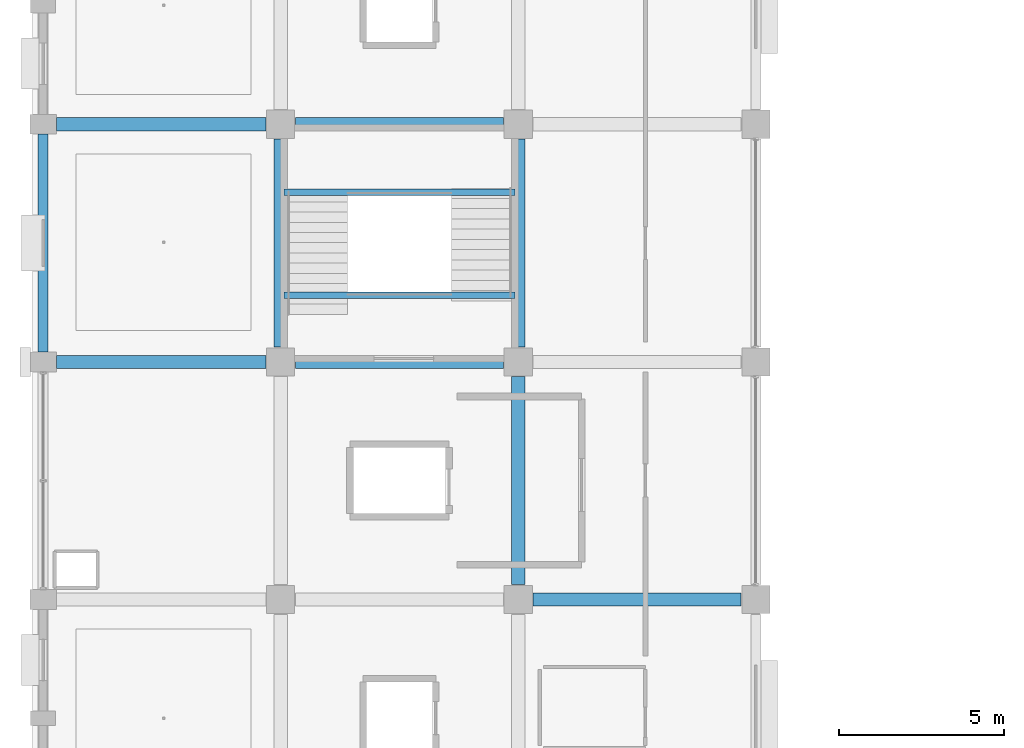
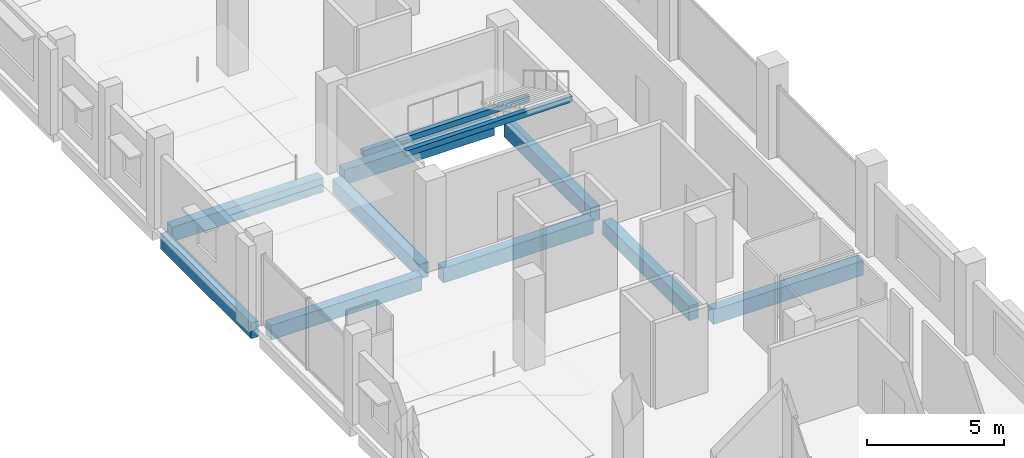
# One storey, part 22 of 107: 11 beams.
"""IFC4 building model written with IfcOpenShell, lengths in metres."""

from ifc_helpers import new_model, si_unit, direction, frame, origin, origin_2d, place, context, subcontext, project, spatial, rectangle, extrude, material, material_profile, profile_set, type_object, element, save


model = new_model("IFC4")

# Units and contexts
model_context = context("Model", 3, precision=1e-05, world=origin(), true_north=direction((0.0, 1.0)))
body_context = subcontext(model_context, "Body", "Model", "MODEL_VIEW")
ifc_project = project(units=[si_unit("LENGTHUNIT", "METRE"), si_unit("AREAUNIT", "SQUARE_METRE"), si_unit("VOLUMEUNIT", "CUBIC_METRE"), si_unit("PLANEANGLEUNIT", "RADIAN"), si_unit("MASSUNIT", "GRAM", prefix="KILO")], contexts=[model_context])

# Site, building, storey
site_placement = place(None, origin())
site = spatial("IfcSite", under=ifc_project, at=site_placement, CompositionType="ELEMENT")
building_placement = place(site_placement, origin())
building = spatial("IfcBuilding", under=site, at=building_placement, Name="Kangsadwip Square Police Headquarters", CompositionType="ELEMENT")
storey_placement = place(building_placement, frame((0.0, 0.0, 5.39990234375)))
storey = spatial("IfcBuildingStorey", under=building, at=storey_placement, Name="L01", CompositionType="ELEMENT", Elevation=5.39990234375)

# Beams
ifc_material_1 = material(Name="Concrete M35 (35 MPa)", Category="concrete")
ifc_material_profile_1 = material_profile(ifc_material_1, rectangle(XDim=0.39990234375, YDim=0.64990234375, at=origin_2d()), Name="RC BM 650X400")
ifc_profile_set_1 = profile_set([ifc_material_profile_1], Name="Concrete M35 (35 MPa)")
beam_type_1 = type_object("IfcBeamType", Name="RcBeam650x400", PredefinedType="BEAM", material=ifc_profile_set_1)
beam_1_placement = place(storey_placement, frame((14.85009765625, 64.800048828125, -0.56494140625), z_axis=(1.0, 0.0, 0.0), x_axis=(0.0, 1.0, 0.0)))
element("IfcBeam", 1, at=beam_1_placement, inside=storey, type_object=beam_type_1, Name="Beam BM-L01-X-02-09", PredefinedType="BEAM", context=body_context, shape_type="SweptSolid", body=[
    extrude(rectangle(XDim=0.39990234375, YDim=0.64990234375, at=origin_2d()), origin(), (0.0, 0.0, 1.0), 6.2998046875),
])
beam_2_placement = place(storey_placement, frame((0.39990234375, 72.0, -0.56494140625), z_axis=(1.0, 0.0, 0.0), x_axis=(0.0, 1.0, 0.0)))
element("IfcBeam", 2, at=beam_2_placement, inside=storey, type_object=beam_type_1, Name="Beam BM-L01-X-00-10", PredefinedType="BEAM", context=body_context, shape_type="SweptSolid", body=[
    extrude(rectangle(XDim=0.39990234375, YDim=0.64990234375, at=origin_2d()), origin(), (0.0, 0.0, 1.0), 6.35009765625),
])
beam_3_placement = place(storey_placement, frame((7.64990234375, 72.0, -0.56494140625), z_axis=(1.0, 0.0, 0.0), x_axis=(0.0, 1.0, 0.0)))
element("IfcBeam", 3, at=beam_3_placement, inside=storey, type_object=beam_type_1, Name="Beam BM-L01-X-01-10", PredefinedType="BEAM", context=body_context, shape_type="SweptSolid", body=[
    extrude(rectangle(XDim=0.39990234375, YDim=0.64990234375, at=origin_2d()), origin(), (0.0, 0.0, 1.0), 6.300048828125),
])
beam_4_placement = place(storey_placement, frame((0.39990234375, 79.199951171875, -0.56494140625), z_axis=(1.0, 0.0, 0.0), x_axis=(0.0, 1.0, 0.0)))
element("IfcBeam", 4, at=beam_4_placement, inside=storey, type_object=beam_type_1, Name="Beam BM-L01-X-00-11", PredefinedType="BEAM", context=body_context, shape_type="SweptSolid", body=[
    extrude(rectangle(XDim=0.39990234375, YDim=0.64990234375, at=origin_2d()), origin(), (0.0, 0.0, 1.0), 6.35009765625),
])
for number, where, z_axis, x_axis, name in (
    (5, (7.64990234375, 79.199951171875, -0.56494140625), (1.0, 0.0, 0.0), (0.0, 1.0, 0.0), "Beam BM-L01-X-01-11"),
    (6, (7.199951171875, 72.449951171875, -0.56494140625), (0.0, 1.0, 0.0), (-1.0, 0.0, 0.0), "Beam BM-L01-Y-01-10"),
    (7, (14.39990234375, 65.25, -0.56494140625), (0.0, 1.0, 0.0), (-1.0, 0.0, 0.0), "Beam BM-L01-Y-02-09"),
    (8, (14.39990234375, 72.449951171875, -0.56494140625), (0.0, 1.0, 0.0), (-1.0, 0.0, 0.0), "Beam BM-L01-Y-02-10"),
):
    element("IfcBeam", number, at=place(storey_placement, frame(where, z_axis=z_axis, x_axis=x_axis)), inside=storey, type_object=beam_type_1, Name=name, PredefinedType="BEAM", context=body_context, shape_type="SweptSolid", body=[
        extrude(rectangle(XDim=0.39990234375, YDim=0.64990234375, at=origin_2d()), origin(), (0.0, 0.0, 1.0), 6.300048828125),
    ])
ifc_material_2 = material(Name="Concrete M30 (30 MPa)", Category="concrete")
ifc_material_profile_2 = material_profile(ifc_material_2, rectangle(XDim=0.199951171875, YDim=0.25, at=origin_2d()), Name="RC LNT 250X200")
ifc_profile_set_2 = profile_set([ifc_material_profile_2], Name="Concrete M30 (30 MPa)")
beam_type_2 = type_object("IfcBeamType", Name="RcLintel250x200", PredefinedType="LINTEL", material=ifc_profile_set_2)
for number, where, z_axis, x_axis, name in (
    (9, (7.300048828125, 77.139892578125, 1.801025390625), (1.0, 0.0, 0.0), (0.0, 1.0, 0.0), "Stair Carriage and Landing Beam BM-ST-L01-025"),
    (10, (7.300048828125, 74.02001953125, 3.68505859375), (1.0, 0.0, 0.0), (0.0, 1.0, 0.0), "Stair Carriage and Landing Beam BM-ST-L01-026"),
):
    element("IfcBeam", number, at=place(storey_placement, frame(where, z_axis=z_axis, x_axis=x_axis)), inside=storey, type_object=beam_type_2, Name=name, PredefinedType="BEAM", context=body_context, shape_type="SweptSolid", body=[
        extrude(rectangle(XDim=0.199951171875, YDim=0.25, at=origin_2d()), origin(), (0.0, 0.0, 1.0), 7.0),
    ])
ifc_material_3 = material(Name="Concrete M40 (40 MPa)", Category="concrete")
ifc_material_profile_3 = material_profile(ifc_material_3, rectangle(XDim=0.300048828125, YDim=0.699951171875, at=origin_2d()), Name="RC SPN 700X300")
ifc_profile_set_3 = profile_set([ifc_material_profile_3], Name="Concrete M40 (40 MPa)")
beam_type_3 = type_object("IfcBeamType", Name="RcSpandrel700x300", PredefinedType="SPANDREL", material=ifc_profile_set_3)
beam_5_placement = place(storey_placement, frame((0.0, 72.300048828125, -0.58984375), z_axis=(0.0, 1.0, 0.0), x_axis=(-1.0, 0.0, 0.0)))
element("IfcBeam", 11, at=beam_5_placement, inside=storey, type_object=beam_type_3, Name="Beam BM-L01-Y-00-10", PredefinedType="SPANDREL", context=body_context, shape_type="SweptSolid", body=[
    extrude(rectangle(XDim=0.300048828125, YDim=0.699951171875, at=origin_2d()), origin(), (0.0, 0.0, 1.0), 6.599853515625),
])

save(model, "model.ifc")
